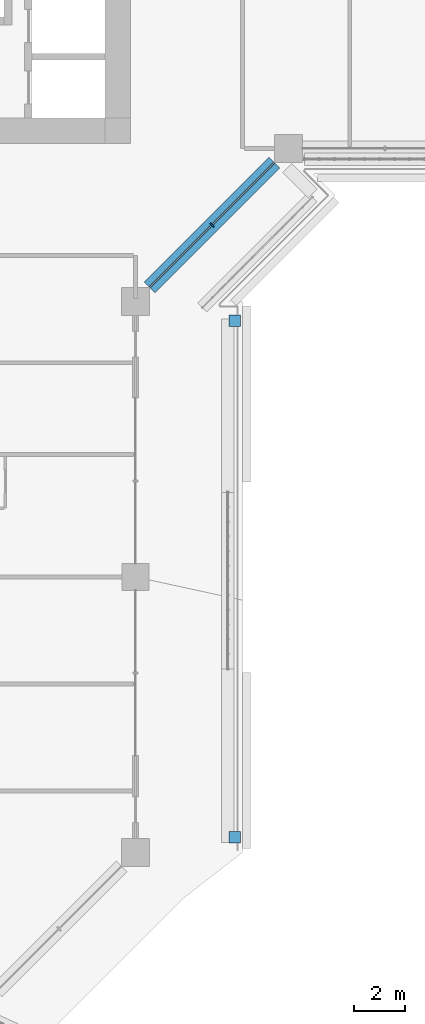
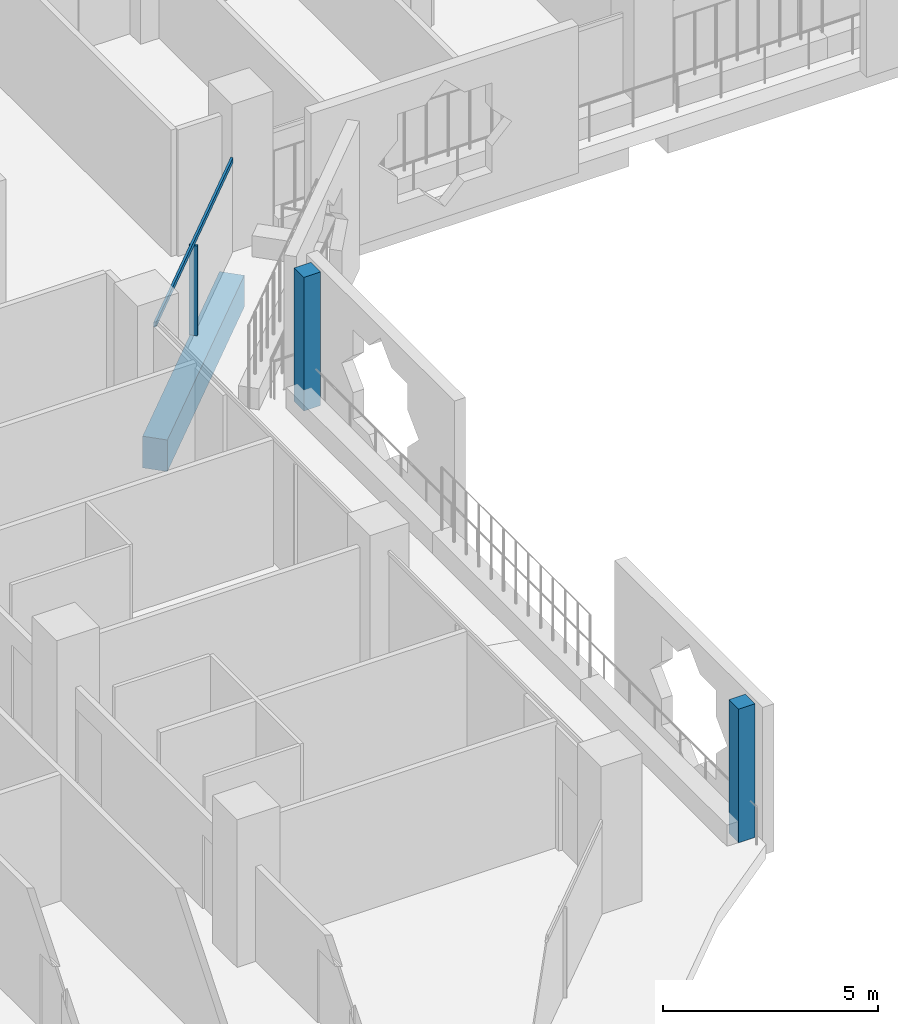
# One storey, part 4 of 25: 4 members, 1 beam, 2 elements without a shape of their own.
"""IFC4 building model written with IfcOpenShell, lengths in metres."""

from ifc_helpers import new_model, si_unit, direction, frame, origin, origin_2d, place, context, subcontext, project, spatial, rectangle, extrude, material, layer, layer_set, material_profile, profile_set, type_object, element, aggregate, save


model = new_model("IFC4")

# Units and contexts
model_context = context("Model", 3, precision=1e-05, world=origin(), true_north=direction((0.0, 1.0)))
body_context = subcontext(model_context, "Body", "Model", "MODEL_VIEW")
ifc_project = project(units=[si_unit("LENGTHUNIT", "METRE"), si_unit("AREAUNIT", "SQUARE_METRE"), si_unit("VOLUMEUNIT", "CUBIC_METRE"), si_unit("PLANEANGLEUNIT", "RADIAN"), si_unit("MASSUNIT", "GRAM", prefix="KILO")], contexts=[model_context])

# Site, building, storey
site_placement = place(None, origin())
site = spatial("IfcSite", under=ifc_project, at=site_placement, CompositionType="ELEMENT")
building_placement = place(site_placement, origin())
building = spatial("IfcBuilding", under=site, at=building_placement, Name="Kawkab Arch Medical Tower", CompositionType="ELEMENT")
storey_placement = place(building_placement, frame((0.0, 0.0, 136.60009765625)))
storey = spatial("IfcBuildingStorey", under=building, at=storey_placement, Name="L31", CompositionType="ELEMENT", Elevation=136.60009765625)

# Curtain wall, members
ifc_material_1 = material(Name="Bronze anodised aluminium curtain wall frame", Category="aluminium")
ifc_layer_1 = layer(ifc_material_1, 0.159912109375)
ifc_layer_set_1 = layer_set([ifc_layer_1], Name="Bronze anodised aluminium curtain wall frame")
curtain_wall_type_1 = type_object("IfcCurtainWallType", Name="CW2 chamfer curtain wall", PredefinedType="NOTDEFINED", material=ifc_layer_set_1)
placement = place(storey_placement, origin())
curtain_wall_1 = element("IfcCurtainWall", 1, at=placement, inside=storey, type_object=curtain_wall_type_1, Name="CW2 Chamfer curtain wall R06", PredefinedType="NOTDEFINED")
ifc_material_2 = material(Name="Bronze anodised aluminium curtain wall frame", Category="aluminium")
ifc_material_profile_1 = material_profile(ifc_material_2, rectangle(XDim=0.199951171875, YDim=0.06005859375, at=origin_2d()), Name="AL 60x200")
ifc_profile_set_1 = profile_set([ifc_material_profile_1], Name="Bronze anodised aluminium curtain wall frame")
member_type_1 = type_object("IfcMemberType", Name="CW2 mullion 60 x 200", PredefinedType="MULLION", material=ifc_profile_set_1)
member_1_placement = place(storey_placement, frame((28.199951171875, -28.199951171875, 0.0), z_axis=(0.0, 0.0, 1.0), x_axis=(-0.707106781187, 0.707106781187, 0.0)))
member_1 = element("IfcMember", 2, at=member_1_placement, type_object=member_type_1, Name="CW2 mullion 1.1", PredefinedType="MULLION", context=body_context, shape_type="SweptSolid", body=[
    extrude(rectangle(XDim=0.199951171875, YDim=0.06005859375, at=origin_2d()), origin(), (0.0, 0.0, 1.0), 2.559814453125),
])
ifc_material_3 = material(Name="Bronze anodised aluminium curtain wall frame", Category="aluminium")
ifc_material_profile_2 = material_profile(ifc_material_3, rectangle(XDim=0.06005859375, YDim=0.139892578125, at=origin_2d()), Name="AL 60x140")
ifc_profile_set_2 = profile_set([ifc_material_profile_2], Name="Bronze anodised aluminium curtain wall frame")
member_type_2 = type_object("IfcMemberType", Name="CW2 transom 140 x 60", PredefinedType="USERDEFINED", material=ifc_profile_set_2)
member_2_placement = place(storey_placement, frame((25.75, -30.64990234375, 2.6298828125), z_axis=(0.707106781187, 0.707106781187, 0.0), x_axis=(-0.707106781187, 0.707106781187, 0.0)))
member_2 = element("IfcMember", 3, at=member_2_placement, type_object=member_type_2, Name="CW2 transom 1", ObjectType="TRANSOM", PredefinedType="USERDEFINED", context=body_context, shape_type="SweptSolid", body=[
    extrude(rectangle(XDim=0.06005859375, YDim=0.139892578125, at=origin_2d()), origin(), (0.0, 0.0, 1.0), 6.929443359375),
])
aggregate(curtain_wall_1, [member_2, member_1])

ifc_material_4 = material(Name="Bronze anodised aluminium climber frame, planted", Category="aluminium")
ifc_layer_2 = layer(ifc_material_4, 0.449951171875)
ifc_layer_set_2 = layer_set([ifc_layer_2], Name="Bronze anodised aluminium climber frame, planted")
curtain_wall_type_2 = type_object("IfcCurtainWallType", Name="Planted climber frame", PredefinedType="NOTDEFINED", material=ifc_layer_set_2)
curtain_wall_2 = element("IfcCurtainWall", 4, at=placement, inside=storey, type_object=curtain_wall_type_2, Name="Planted climber frame L31", PredefinedType="NOTDEFINED")
ifc_material_5 = material(Name="Bronze anodised aluminium climber frame, planted", Category="aluminium")
ifc_material_profile_3 = material_profile(ifc_material_5, rectangle(XDim=0.449951171875, YDim=0.449951171875, at=origin_2d()), Name="Post 450x450")
ifc_profile_set_3 = profile_set([ifc_material_profile_3], Name="Bronze anodised aluminium climber frame, planted")
member_type_3 = type_object("IfcMemberType", Name="Planted climber post 450 x 450", PredefinedType="MULLION", material=ifc_profile_set_3)
member_3_placement = place(storey_placement, frame((29.10009765625, -31.949951171875, 0.0), z_axis=(0.0, 0.0, 1.0), x_axis=(1.0, 0.0, 0.0)))
member_3 = element("IfcMember", 5, at=member_3_placement, type_object=member_type_3, Name="Planted climber post L31.LOG-01-01.5", PredefinedType="MULLION", context=body_context, shape_type="SweptSolid", body=[
    extrude(rectangle(XDim=0.449951171875, YDim=0.449951171875, at=origin_2d()), origin(), (0.0, 0.0, 1.0), 3.7998046875),
])
member_4_placement = place(storey_placement, frame((29.10009765625, -52.202880859375, 0.0), z_axis=(0.0, 0.0, 1.0), x_axis=(1.0, 0.0, 0.0)))
member_4 = element("IfcMember", 6, at=member_4_placement, type_object=member_type_3, Name="Planted climber post L31.LOG-01-01.6", PredefinedType="MULLION", context=body_context, shape_type="SweptSolid", body=[
    extrude(rectangle(XDim=0.449951171875, YDim=0.449951171875, at=origin_2d()), origin(), (0.0, 0.0, 1.0), 3.7998046875),
])
aggregate(curtain_wall_2, [member_3, member_4])

# Beam
ifc_material_6 = material(Name="Concrete C55/67", Category="concrete")
ifc_material_profile_4 = material_profile(ifc_material_6, rectangle(XDim=0.60009765625, YDim=0.89990234375, at=origin_2d()), Name="RC 600x900")
ifc_profile_set_4 = profile_set([ifc_material_profile_4], Name="Concrete C55/67")
beam_type = type_object("IfcBeamType", Name="RC 600x900 beam C55/67", PredefinedType="BEAM", material=ifc_profile_set_4)
beam_placement = place(storey_placement, frame((30.64990234375, -25.75, -1.050048828125), z_axis=(-0.707106781187, -0.707106781187, 0.0), x_axis=(0.707106781187, -0.707106781187, 0.0)))
element("IfcBeam", 7, at=beam_placement, inside=storey, type_object=beam_type, Name="Overhang edge beam L31-06", PredefinedType="BEAM", context=body_context, shape_type="SweptSolid", body=[
    extrude(rectangle(XDim=0.60009765625, YDim=0.89990234375, at=origin_2d()), origin(), (0.0, 0.0, 1.0), 6.929443359375),
])

save(model, "model.ifc")
